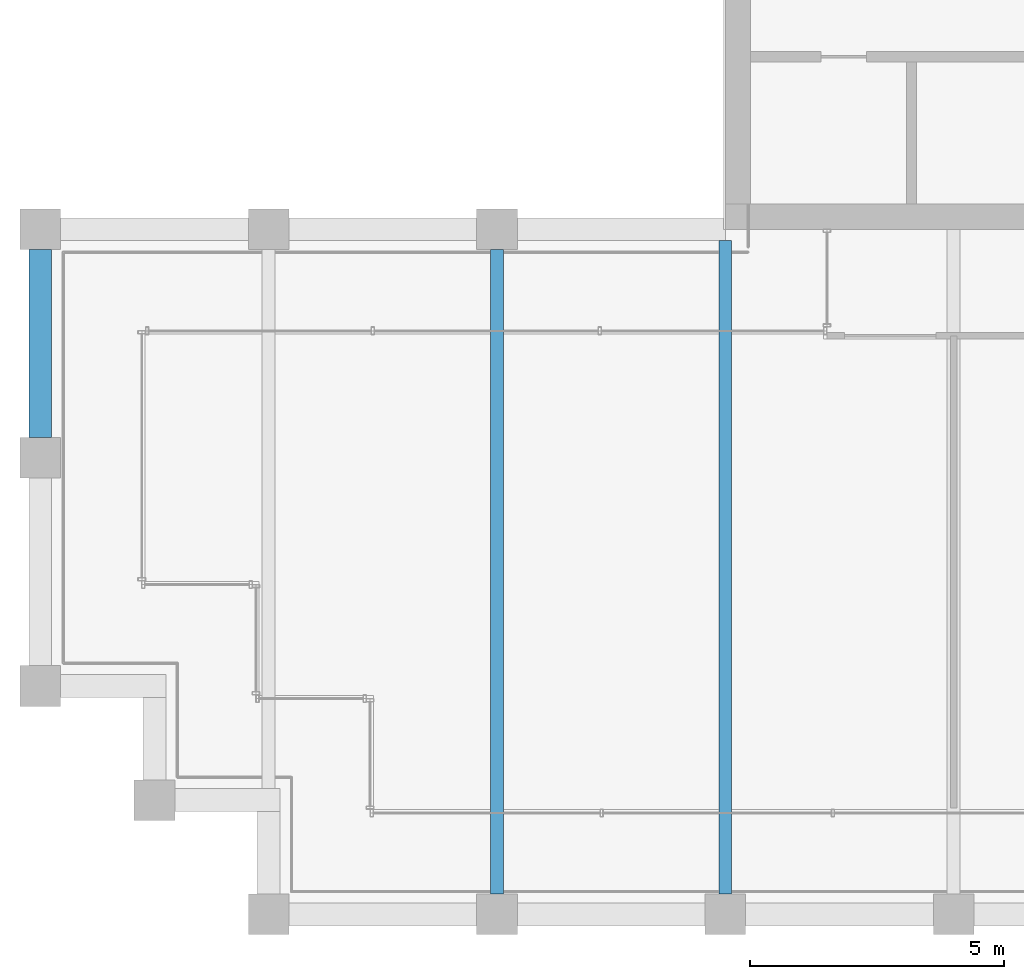
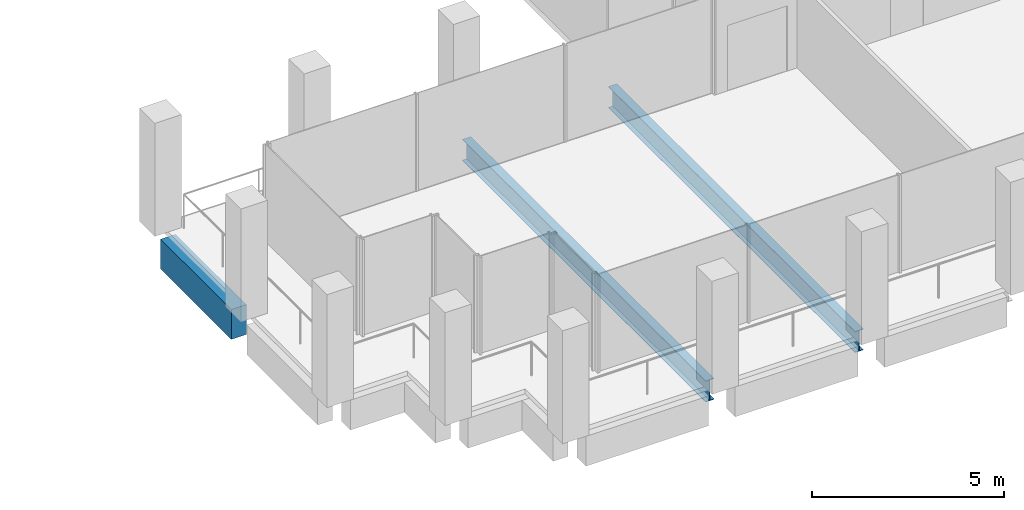
# One storey, part 4 of 30: 3 beams.
"""IFC4 building model written with IfcOpenShell, lengths in metres."""

from ifc_helpers import new_model, si_unit, direction, frame, origin, origin_2d, place, context, subcontext, project, spatial, rectangle, i_section, extrude, material, material_profile, profile_set, type_object, element, save


model = new_model("IFC4")

# Units and contexts
model_context = context("Model", 3, precision=1e-05, world=origin(), true_north=direction((0.0, 1.0)))
body_context = subcontext(model_context, "Body", "Model", "MODEL_VIEW")
ifc_project = project(units=[si_unit("LENGTHUNIT", "METRE"), si_unit("AREAUNIT", "SQUARE_METRE"), si_unit("VOLUMEUNIT", "CUBIC_METRE"), si_unit("PLANEANGLEUNIT", "RADIAN"), si_unit("MASSUNIT", "GRAM", prefix="KILO")], contexts=[model_context])

# Site, building, storey
site_placement = place(None, origin())
site = spatial("IfcSite", under=ifc_project, at=site_placement, CompositionType="ELEMENT")
building_placement = place(site_placement, origin())
building = spatial("IfcBuilding", under=site, at=building_placement, Name="Altepetl Exchange Towers", CompositionType="ELEMENT")
storey_placement = place(building_placement, frame((0.0, 0.0, 220.800048828125)))
storey = spatial("IfcBuildingStorey", under=building, at=storey_placement, Name="L56", CompositionType="ELEMENT", Elevation=220.800048828125)

# Beams
ifc_material_1 = material(Name="Steel S355", Category="steel")
ifc_material_profile_1 = material_profile(ifc_material_1, i_section(OverallWidth=0.2529296875, OverallDepth=0.677978515625, WebThickness=0.01171875, FlangeThickness=0.016357421875, at=origin_2d()), Name="W27X84")
ifc_profile_set_1 = profile_set([ifc_material_profile_1], Name="Steel S355")
beam_type_1 = type_object("IfcBeamType", Name="Floor beam W27X84", PredefinedType="BEAM", material=ifc_profile_set_1)
beam_1_placement = place(storey_placement, frame((36.0, 27.39990234375, -0.489013671875), z_axis=(0.0, 1.0, 0.0), x_axis=(-1.0, 0.0, 0.0)))
element("IfcBeam", 1, at=beam_1_placement, inside=storey, type_object=beam_type_1, Name="bm:A:L56:013", PredefinedType="BEAM", context=body_context, shape_type="SweptSolid", body=[
    extrude(i_section(OverallWidth=0.2529296875, OverallDepth=0.677978515625, WebThickness=0.01171875, FlangeThickness=0.016357421875, at=origin_2d()), origin(), (0.0, 0.0, 1.0), 12.7001953125),
])
beam_2_placement = place(storey_placement, frame((40.5, 27.39990234375, -0.489013671875), z_axis=(0.0, 1.0, 0.0), x_axis=(-1.0, 0.0, 0.0)))
element("IfcBeam", 2, at=beam_2_placement, inside=storey, type_object=beam_type_1, Name="bm:A:L56:014", PredefinedType="BEAM", context=body_context, shape_type="SweptSolid", body=[
    extrude(i_section(OverallWidth=0.2529296875, OverallDepth=0.677978515625, WebThickness=0.01171875, FlangeThickness=0.016357421875, at=origin_2d()), origin(), (0.0, 0.0, 1.0), 12.875),
])
ifc_material_2 = material(Name="Concrete C50/60 precast with cantera blanca facing", Category="concrete")
ifc_material_profile_2 = material_profile(ifc_material_2, rectangle(XDim=0.449951171875, YDim=0.949951171875, at=origin_2d()), Name="450 x 950")
ifc_profile_set_2 = profile_set([ifc_material_profile_2], Name="Concrete C50/60 precast with cantera blanca facing")
beam_type_2 = type_object("IfcBeamType", Name="Spandrel beam 450x950 cantera blanca", PredefinedType="SPANDREL", material=ifc_profile_set_2)
beam_3_placement = place(storey_placement, frame((27.0, 40.10009765625, -0.625), z_axis=(0.0, -1.0, 0.0), x_axis=(1.0, 0.0, 0.0)))
element("IfcBeam", 3, at=beam_3_placement, inside=storey, type_object=beam_type_2, Name="sp:A:L56:036", PredefinedType="SPANDREL", context=body_context, shape_type="SweptSolid", body=[
    extrude(rectangle(XDim=0.449951171875, YDim=0.949951171875, at=origin_2d()), origin(), (0.0, 0.0, 1.0), 3.7001953125),
])

save(model, "model.ifc")
